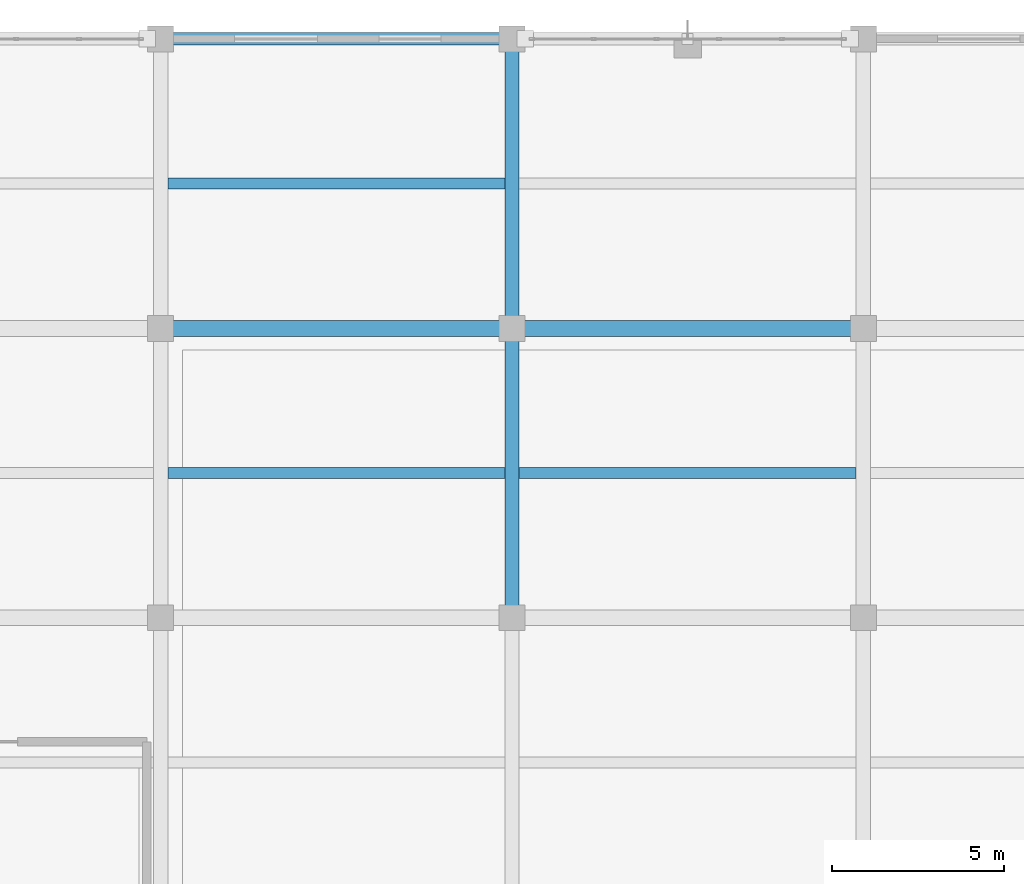
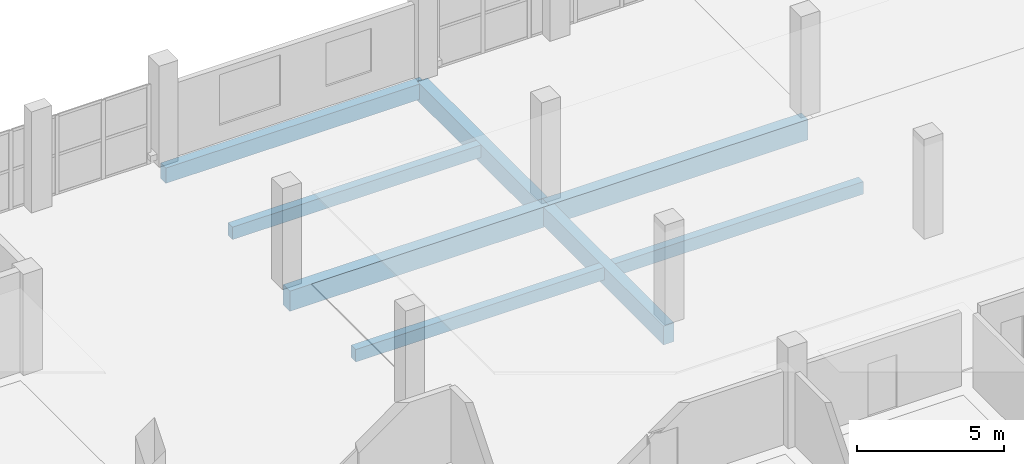
# One storey, part 92 of 157: 8 beams.
"""IFC4 building model written with IfcOpenShell, lengths in metres."""

from ifc_helpers import new_model, si_unit, direction, frame, origin, origin_2d, place, context, subcontext, project, spatial, rectangle, extrude, material, material_profile, profile_set, type_object, element, save


model = new_model("IFC4")

# Units and contexts
model_context = context("Model", 3, precision=1e-05, world=origin(), true_north=direction((0.0, 1.0)))
body_context = subcontext(model_context, "Body", "Model", "MODEL_VIEW")
ifc_project = project(units=[si_unit("LENGTHUNIT", "METRE"), si_unit("AREAUNIT", "SQUARE_METRE"), si_unit("VOLUMEUNIT", "CUBIC_METRE"), si_unit("PLANEANGLEUNIT", "RADIAN"), si_unit("MASSUNIT", "GRAM", prefix="KILO")], contexts=[model_context])

# Site, building, storey
site_placement = place(None, origin())
site = spatial("IfcSite", under=ifc_project, at=site_placement, CompositionType="ELEMENT")
building_placement = place(site_placement, origin())
building = spatial("IfcBuilding", under=site, at=building_placement, Name="Brelvane Convention Centre", CompositionType="ELEMENT")
storey_placement = place(building_placement, frame((0.0, 0.0, 10.800048828125)))
storey = spatial("IfcBuildingStorey", under=building, at=storey_placement, Name="L02", CompositionType="ELEMENT", Elevation=10.800048828125)

# Beams
ifc_material_1 = material(Name="Concrete M40", Category="concrete")
ifc_material_profile_1 = material_profile(ifc_material_1, rectangle(XDim=0.4599609375, YDim=0.840087890625, at=origin_2d()), Name="RC 460x840")
ifc_profile_set_1 = profile_set([ifc_material_profile_1], Name="Concrete M40")
beam_type_1 = type_object("IfcBeamType", Name="RC Beam B-RC11 (RC 460x840)", PredefinedType="BEAM", material=ifc_profile_set_1)
for number, where, z_axis, x_axis, name in (
    (1, (40.800048828125, 135.60009765625, -0.699951171875), (1.0, 0.0, 0.0), (0.0, 1.0, 0.0), "L02 Beam 5-6/P"),
    (2, (51.0, 135.60009765625, -0.699951171875), (1.0, 0.0, 0.0), (0.0, 1.0, 0.0), "L02 Beam 6-7/P"),
):
    element("IfcBeam", number, at=place(storey_placement, frame(where, z_axis=z_axis, x_axis=x_axis)), inside=storey, type_object=beam_type_1, Name=name, PredefinedType="BEAM", context=body_context, shape_type="SweptSolid", body=[
        extrude(rectangle(XDim=0.4599609375, YDim=0.840087890625, at=origin_2d()), origin(), (0.0, 0.0, 1.0), 10.199951171875),
    ])
ifc_material_2 = material(Name="Concrete M40", Category="concrete")
ifc_material_profile_2 = material_profile(ifc_material_2, rectangle(XDim=0.419921875, YDim=0.780029296875, at=origin_2d()), Name="RC 420x780")
ifc_profile_set_2 = profile_set([ifc_material_profile_2], Name="Concrete M40")
beam_type_2 = type_object("IfcBeamType", Name="RC Beam B-RC12 (RC 420x780)", PredefinedType="BEAM", material=ifc_profile_set_2)
beam_1_placement = place(storey_placement, frame((51.0, 127.199951171875, -0.670166015625), z_axis=(0.0, 1.0, 0.0), x_axis=(-1.0, 0.0, 0.0)))
element("IfcBeam", 3, at=beam_1_placement, inside=storey, type_object=beam_type_2, Name="L02 Girder 6/N-P", PredefinedType="BEAM", context=body_context, shape_type="SweptSolid", body=[
    extrude(rectangle(XDim=0.419921875, YDim=0.780029296875, at=origin_2d()), origin(), (0.0, 0.0, 1.0), 8.400146484375),
])
beam_2_placement = place(storey_placement, frame((51.0, 135.60009765625, -0.670166015625), z_axis=(0.0, 1.0, 0.0), x_axis=(-1.0, 0.0, 0.0)))
element("IfcBeam", 4, at=beam_2_placement, inside=storey, type_object=beam_type_2, Name="L02 Girder 6/P-Q", PredefinedType="BEAM", context=body_context, shape_type="SweptSolid", body=[
    extrude(rectangle(XDim=0.419921875, YDim=0.780029296875, at=origin_2d()), origin(), (0.0, 0.0, 1.0), 8.39990234375),
])
ifc_material_3 = material(Name="Concrete M40", Category="concrete")
ifc_material_profile_3 = material_profile(ifc_material_3, rectangle(XDim=0.320068359375, YDim=0.52001953125, at=origin_2d()), Name="RC 320x520")
ifc_profile_set_3 = profile_set([ifc_material_profile_3], Name="Concrete M40")
beam_type_3 = type_object("IfcBeamType", Name="RC Joist J-RC4 (RC 320x520)", PredefinedType="JOIST", material=ifc_profile_set_3)
for number, where, z_axis, x_axis, name in (
    (5, (41.010009765625, 131.39990234375, -0.5400390625), (1.0, 0.0, 0.0), (0.0, 1.0, 0.0), "L02 Secondary Joist 5-6/NP"),
    (6, (41.010009765625, 139.800048828125, -0.5400390625), (1.0, 0.0, 0.0), (0.0, 1.0, 0.0), "L02 Secondary Joist 5-6/PQ"),
    (7, (51.2099609375, 131.39990234375, -0.5400390625), (1.0, 0.0, 0.0), (0.0, 1.0, 0.0), "L02 Secondary Joist 6-7/NP"),
):
    element("IfcBeam", number, at=place(storey_placement, frame(where, z_axis=z_axis, x_axis=x_axis)), inside=storey, type_object=beam_type_3, Name=name, PredefinedType="JOIST", context=body_context, shape_type="SweptSolid", body=[
        extrude(rectangle(XDim=0.320068359375, YDim=0.52001953125, at=origin_2d()), origin(), (0.0, 0.0, 1.0), 9.780029296875),
    ])
ifc_material_4 = material(Name="Concrete M40", Category="concrete")
ifc_material_profile_4 = material_profile(ifc_material_4, rectangle(XDim=0.360107421875, YDim=0.639892578125, at=origin_2d()), Name="RC 360x640")
ifc_profile_set_4 = profile_set([ifc_material_profile_4], Name="Concrete M40")
beam_type_4 = type_object("IfcBeamType", Name="RC Spandrel SP-RC3 (RC 360x640)", PredefinedType="SPANDREL", material=ifc_profile_set_4)
beam_3_placement = place(storey_placement, frame((40.800048828125, 144.0, -0.60009765625), z_axis=(1.0, 0.0, 0.0), x_axis=(0.0, 1.0, 0.0)))
element("IfcBeam", 8, at=beam_3_placement, inside=storey, type_object=beam_type_4, Name="L02 Beam 5-6/Q", PredefinedType="SPANDREL", context=body_context, shape_type="SweptSolid", body=[
    extrude(rectangle(XDim=0.360107421875, YDim=0.639892578125, at=origin_2d()), origin(), (0.0, 0.0, 1.0), 10.199951171875),
])

save(model, "model.ifc")
